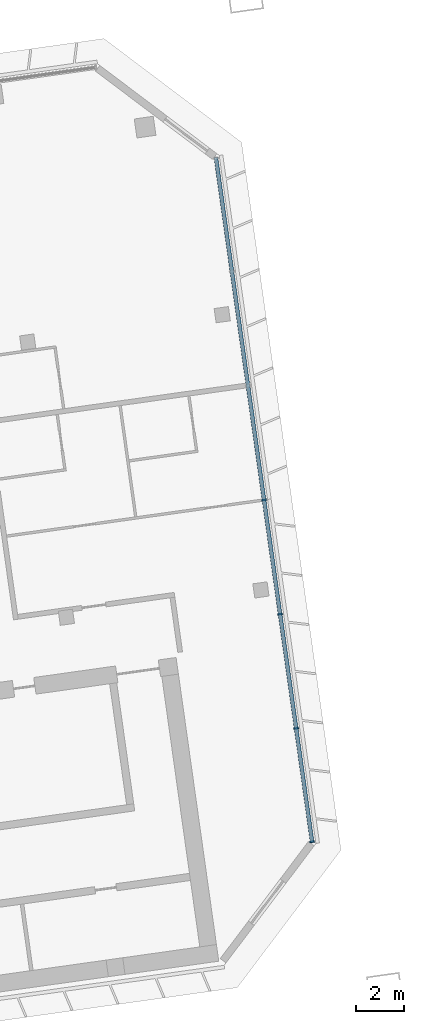
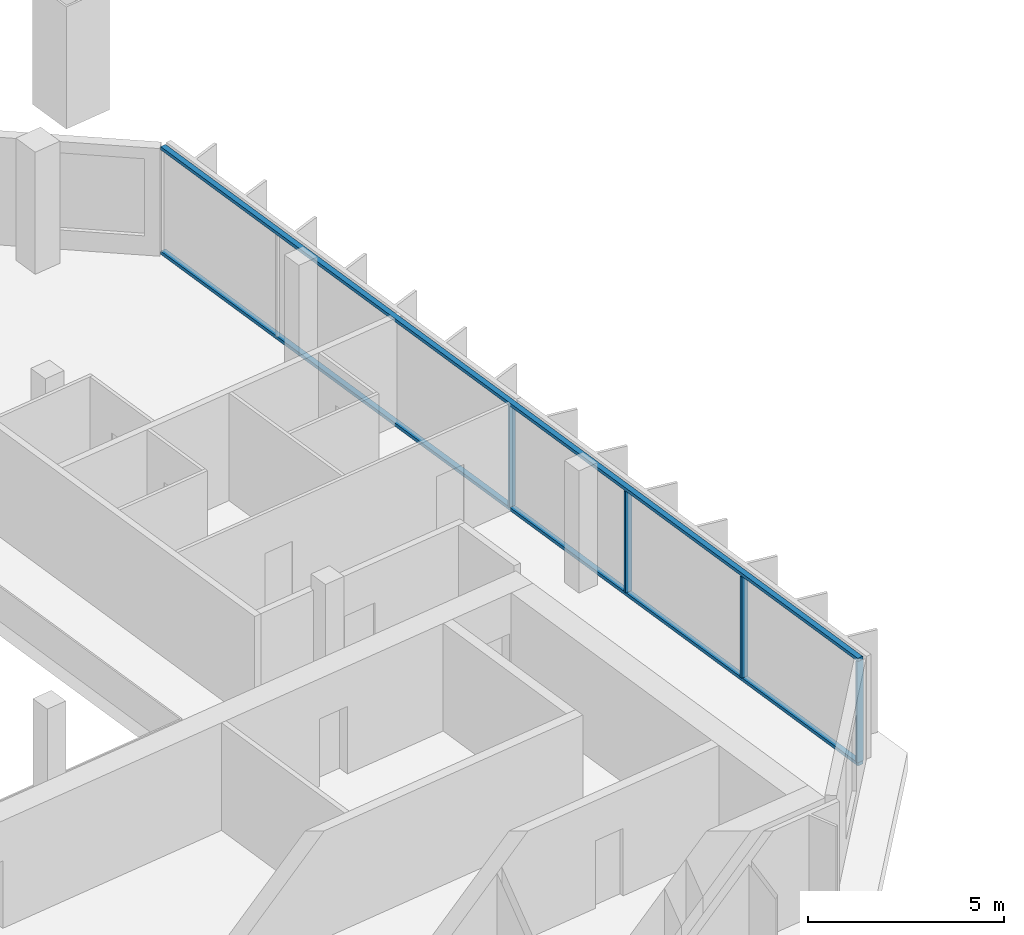
# One storey, part 8 of 23: 6 members, 1 element without a shape of its own.
"""IFC4 building model written with IfcOpenShell, lengths in metres."""

from ifc_helpers import new_model, si_unit, direction, frame, origin, origin_2d, place, context, subcontext, project, spatial, rectangle, extrude, material, material_profile, profile_set, type_object, element, aggregate, save


model = new_model("IFC4")

# Units and contexts
model_context = context("Model", 3, precision=1e-05, world=origin(), true_north=direction((0.0, 1.0)))
body_context = subcontext(model_context, "Body", "Model", "MODEL_VIEW")
ifc_project = project(units=[si_unit("LENGTHUNIT", "METRE"), si_unit("AREAUNIT", "SQUARE_METRE"), si_unit("VOLUMEUNIT", "CUBIC_METRE"), si_unit("PLANEANGLEUNIT", "RADIAN"), si_unit("MASSUNIT", "GRAM", prefix="KILO")], contexts=[model_context])

# Site, building, storey
site_placement = place(None, origin())
site = spatial("IfcSite", under=ifc_project, at=site_placement, CompositionType="ELEMENT")
building_placement = place(site_placement, origin())
building = spatial("IfcBuilding", under=site, at=building_placement, Name="Mirante Cascada Hotel Towers", CompositionType="ELEMENT")
storey_placement = place(building_placement, frame((0.0, 0.0, 187.8)))
storey = spatial("IfcBuildingStorey", under=building, at=storey_placement, Name="L44", CompositionType="ELEMENT", Elevation=187.8)

# Curtain wall, members
ifc_material_1 = material(Name="Aluminium mullion and transom frame with clear laminated glass", Category="aluminium")
curtain_wall_type = type_object("IfcCurtainWallType", Name="End ribbon curtain wall ECW2", PredefinedType="NOTDEFINED", material=ifc_material_1)
curtain_wall_placement = place(storey_placement, origin())
curtain_wall = element("IfcCurtainWall", 1, at=curtain_wall_placement, inside=storey, type_object=curtain_wall_type, Name="Outer end wall T2 L44", PredefinedType="NOTDEFINED")
ifc_material_2 = material(Name="Anodised aluminium extrusion", Category="aluminium")
ifc_material_profile_1 = material_profile(ifc_material_2, rectangle(XDim=0.2, YDim=0.065, at=origin_2d()), Name="ECW2 MULLION 65x200")
ifc_profile_set_1 = profile_set([ifc_material_profile_1], Name="Anodised aluminium extrusion")
member_type_1 = type_object("IfcMemberType", Name="ECW2 mullion 65x200", PredefinedType="MULLION", material=ifc_profile_set_1)
member_1_placement = place(storey_placement, frame((85.3308, -8.7707, 0.1), z_axis=(0.0, 0.0, 1.0), x_axis=(-0.9902681, -0.1391731, 0.0)))
member_1 = element("IfcMember", 2, at=member_1_placement, type_object=member_type_1, Name="ECW2 mullion 1", PredefinedType="MULLION", context=body_context, shape_type="SweptSolid", body=[
    extrude(rectangle(XDim=0.2, YDim=0.065, at=origin_2d()), origin(), (0.0, 0.0, 1.0), 3.15),
])
member_2_placement = place(storey_placement, frame((84.6655, -4.0371, 0.1), z_axis=(0.0, 0.0, 1.0), x_axis=(-0.9902681, -0.1391731, 0.0)))
member_2 = element("IfcMember", 3, at=member_2_placement, type_object=member_type_1, Name="ECW2 mullion 2", PredefinedType="MULLION", context=body_context, shape_type="SweptSolid", body=[
    extrude(rectangle(XDim=0.2, YDim=0.065, at=origin_2d()), origin(), (0.0, 0.0, 1.0), 3.15),
])
member_3_placement = place(storey_placement, frame((83.9957, 0.7287, 0.1), z_axis=(0.0, 0.0, 1.0), x_axis=(-0.9902681, -0.1391731, 0.0)))
member_3 = element("IfcMember", 4, at=member_3_placement, type_object=member_type_1, Name="ECW2 mullion 3", PredefinedType="MULLION", context=body_context, shape_type="SweptSolid", body=[
    extrude(rectangle(XDim=0.2, YDim=0.065, at=origin_2d()), origin(), (0.0, 0.0, 1.0), 3.15),
])
member_4_placement = place(storey_placement, frame((83.3259, 5.4945, 0.1), z_axis=(0.0, 0.0, 1.0), x_axis=(-0.9902681, -0.1391731, 0.0)))
member_4 = element("IfcMember", 5, at=member_4_placement, type_object=member_type_1, Name="ECW2 mullion 4", PredefinedType="MULLION", context=body_context, shape_type="SweptSolid", body=[
    extrude(rectangle(XDim=0.2, YDim=0.065, at=origin_2d()), origin(), (0.0, 0.0, 1.0), 3.15),
])
ifc_material_3 = material(Name="Anodised aluminium extrusion", Category="aluminium")
ifc_material_profile_2 = material_profile(ifc_material_3, rectangle(XDim=0.16, YDim=0.1, at=origin_2d()), Name="ECW2 TRANSOM 100x160")
ifc_profile_set_2 = profile_set([ifc_material_profile_2], Name="Anodised aluminium extrusion")
member_type_2 = type_object("IfcMemberType", Name="ECW2 transom 100x160", PredefinedType="USERDEFINED", material=ifc_profile_set_2)
member_5_placement = place(storey_placement, frame((85.3353, -8.8029, 0.05), z_axis=(-0.1391723, 0.9902682, 0.0), x_axis=(-0.9902682, -0.1391723, 0.0)))
member_5 = element("IfcMember", 6, at=member_5_placement, type_object=member_type_2, Name="ECW2 sill transom", ObjectType="TRANSOM", PredefinedType="USERDEFINED", context=body_context, shape_type="SweptSolid", body=[
    extrude(rectangle(XDim=0.16, YDim=0.1, at=origin_2d()), origin(), (0.0, 0.0, 1.0), 28.8757),
])
member_6_placement = place(storey_placement, frame((85.3353, -8.8029, 3.3), z_axis=(-0.1391723, 0.9902682, 0.0), x_axis=(-0.9902682, -0.1391723, 0.0)))
member_6 = element("IfcMember", 7, at=member_6_placement, type_object=member_type_2, Name="ECW2 head transom", ObjectType="TRANSOM", PredefinedType="USERDEFINED", context=body_context, shape_type="SweptSolid", body=[
    extrude(rectangle(XDim=0.16, YDim=0.1, at=origin_2d()), origin(), (0.0, 0.0, 1.0), 28.8757),
])
aggregate(curtain_wall, [member_5, member_6, member_1, member_2, member_3, member_4])

save(model, "model.ifc")
